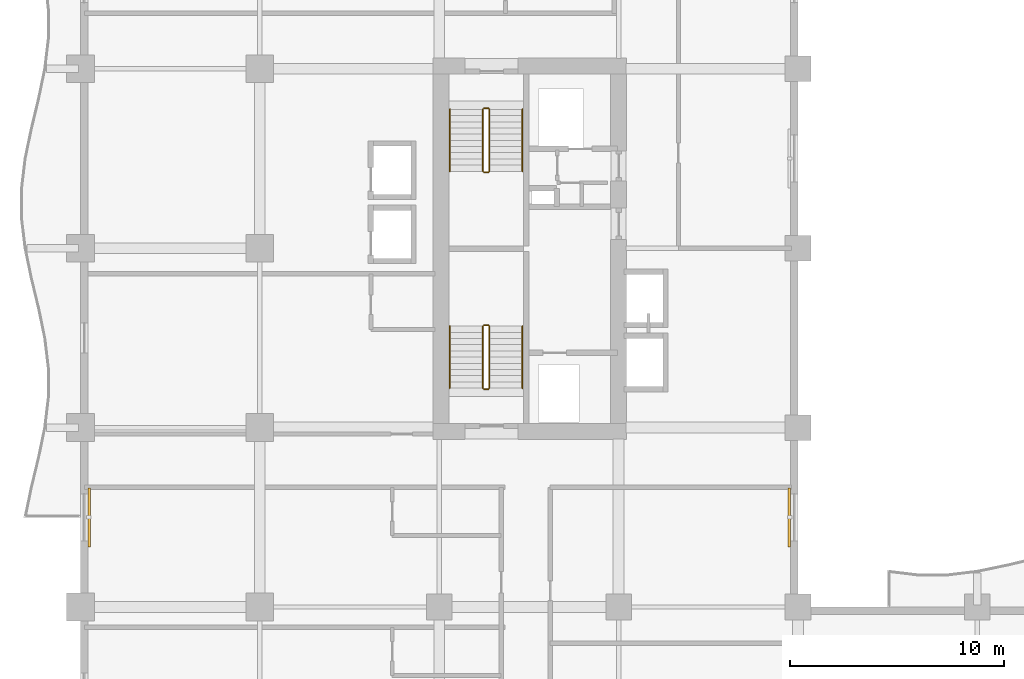
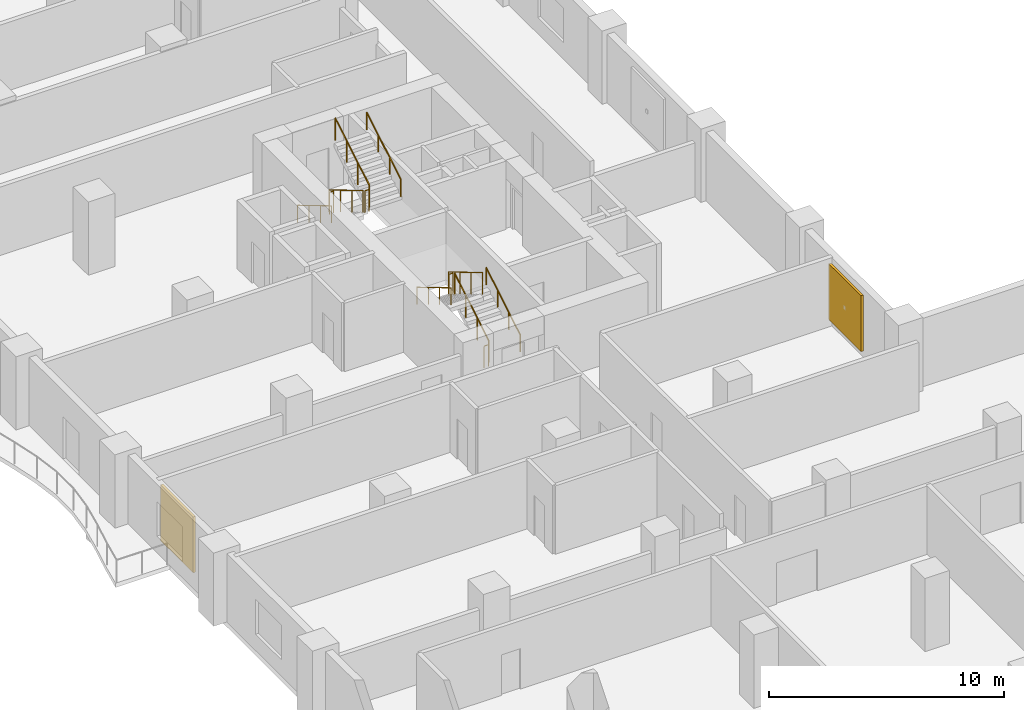
# One storey, part 17 of 18: 12 railings, 2 shading devices.
"""IFC4 building model written with IfcOpenShell, lengths in metres."""

from ifc_helpers import new_model, si_unit, direction, frame, origin, origin_2d, place, context, subcontext, project, spatial, rectangle, circle, extrude, material, layer, layer_set, type_object, element, save


model = new_model("IFC4")

# Units and contexts
model_context = context("Model", 3, precision=1e-05, world=origin(), true_north=direction((0.0, 1.0)))
body_context = subcontext(model_context, "Body", "Model", "MODEL_VIEW")
ifc_project = project(units=[si_unit("LENGTHUNIT", "METRE"), si_unit("AREAUNIT", "SQUARE_METRE"), si_unit("VOLUMEUNIT", "CUBIC_METRE"), si_unit("PLANEANGLEUNIT", "RADIAN"), si_unit("MASSUNIT", "GRAM", prefix="KILO")], contexts=[model_context])

# Site, building, storey
site_placement = place(None, origin())
site = spatial("IfcSite", under=ifc_project, at=site_placement, CompositionType="ELEMENT")
building_placement = place(site_placement, origin())
building = spatial("IfcBuilding", under=site, at=building_placement, Name="Koriwani Terraces Tower", CompositionType="ELEMENT")
storey_placement = place(building_placement, frame((0.0, 0.0, 145.60009765625)))
storey = spatial("IfcBuildingStorey", under=building, at=storey_placement, Name="L35", CompositionType="ELEMENT", Elevation=145.60009765625)

# Railings
ifc_material_1 = material(Name="Steel ASTM A572 Grade 50", Category="steel")
railing_type_1 = type_object("IfcRailingType", Name="GUARD_STAIR_WELL_1120", PredefinedType="GUARDRAIL", material=ifc_material_1)
railing_1_placement = place(storey_placement, frame((19.14990234375, 43.85009765625, 0.172607421875)))
element("IfcRailing", 1, at=railing_1_placement, inside=storey, type_object=railing_type_1, Name="L35 ST-W1 stair guard 1", PredefinedType="GUARDRAIL", context=body_context, shape_type="SweptSolid", body=[
    extrude(circle(Radius=0.02392578125, at=origin_2d()), frame((0.0, 0.0, 1.1259765625), z_axis=(0.0, 0.859141464434, 0.511738159696), x_axis=(-1.0, 0.0, 0.0)), (0.0, 0.0, 1.0), 3.375244140625),
    extrude(circle(Radius=0.02099609375, at=origin_2d()), origin(), (0.0, 0.0, 1.0), 1.101806640625),
    extrude(circle(Radius=0.02099609375, at=origin_2d()), frame((0.0, 0.966552734375, 0.57568359375)), (0.0, 0.0, 1.0), 1.101806640625),
    extrude(circle(Radius=0.02099609375, at=origin_2d()), frame((0.0, 1.933349609375, 1.151611328125)), (0.0, 0.0, 1.0), 1.101806640625),
    extrude(circle(Radius=0.02099609375, at=origin_2d()), frame((0.0, 2.89990234375, 1.727294921875)), (0.0, 0.0, 1.0), 1.101806640625),
])
railing_2_placement = place(storey_placement, frame((19.10009765625, 46.800048828125, 1.89990234375)))
element("IfcRailing", 2, at=railing_2_placement, inside=storey, type_object=railing_type_1, Name="L35 ST-W1 stair guard 2", PredefinedType="GUARDRAIL", context=body_context, shape_type="SweptSolid", body=[
    extrude(circle(Radius=0.02392578125, at=origin_2d()), frame((0.0, 0.0, 1.1259765625), z_axis=(-1.0, 0.0, 0.0), x_axis=(0.0, -1.0, 0.0)), (0.0, 0.0, 1.0), 0.2001953125),
    extrude(circle(Radius=0.02099609375, at=origin_2d()), origin(), (0.0, 0.0, 1.0), 1.101806640625),
    extrude(circle(Radius=0.02099609375, at=origin_2d()), frame((-0.2001953125, 0.0, 0.0)), (0.0, 0.0, 1.0), 1.101806640625),
])
railing_3_placement = place(storey_placement, frame((18.85009765625, 46.75, 2.072509765625)))
element("IfcRailing", 3, at=railing_3_placement, inside=storey, type_object=railing_type_1, Name="L35 ST-W1 stair guard 3", PredefinedType="GUARDRAIL", context=body_context, shape_type="SweptSolid", body=[
    extrude(circle(Radius=0.02392578125, at=origin_2d()), frame((0.0, 0.0, 1.1259765625), z_axis=(0.0, -0.859141464434, 0.511738159696), x_axis=(1.0, 0.0, 0.0)), (0.0, 0.0, 1.0), 3.375244140625),
    extrude(circle(Radius=0.02099609375, at=origin_2d()), origin(), (0.0, 0.0, 1.0), 1.101806640625),
    extrude(circle(Radius=0.02099609375, at=origin_2d()), frame((0.0, -0.966552734375, 0.57568359375)), (0.0, 0.0, 1.0), 1.101806640625),
    extrude(circle(Radius=0.02099609375, at=origin_2d()), frame((0.0, -1.933349609375, 1.151611328125)), (0.0, 0.0, 1.0), 1.101806640625),
    extrude(circle(Radius=0.02099609375, at=origin_2d()), frame((0.0, -2.89990234375, 1.727294921875)), (0.0, 0.0, 1.0), 1.101806640625),
])
railing_4_placement = place(storey_placement, frame((19.10009765625, 43.800048828125, 0.0)))
element("IfcRailing", 4, at=railing_4_placement, inside=storey, type_object=railing_type_1, Name="L35 ST-W1 stair guard 4", PredefinedType="GUARDRAIL", context=body_context, shape_type="SweptSolid", body=[
    extrude(circle(Radius=0.02392578125, at=origin_2d()), frame((0.0, 0.0, 1.1259765625), z_axis=(-1.0, 0.0, 0.0), x_axis=(0.0, -1.0, 0.0)), (0.0, 0.0, 1.0), 0.2001953125),
    extrude(circle(Radius=0.02099609375, at=origin_2d()), origin(), (0.0, 0.0, 1.0), 1.101806640625),
    extrude(circle(Radius=0.02099609375, at=origin_2d()), frame((-0.2001953125, 0.0, 0.0)), (0.0, 0.0, 1.0), 1.101806640625),
])
railing_5_placement = place(storey_placement, frame((18.85009765625, 56.89990234375, 0.172607421875)))
element("IfcRailing", 5, at=railing_5_placement, inside=storey, type_object=railing_type_1, Name="L35 ST-W2 stair guard 1", PredefinedType="GUARDRAIL", context=body_context, shape_type="SweptSolid", body=[
    extrude(circle(Radius=0.02392578125, at=origin_2d()), frame((0.0, 0.0, 1.1259765625), z_axis=(0.0, -0.859141464434, 0.511738159696), x_axis=(1.0, 0.0, 0.0)), (0.0, 0.0, 1.0), 3.375244140625),
    extrude(circle(Radius=0.02099609375, at=origin_2d()), origin(), (0.0, 0.0, 1.0), 1.101806640625),
    extrude(circle(Radius=0.02099609375, at=origin_2d()), frame((0.0, -0.966552734375, 0.57568359375)), (0.0, 0.0, 1.0), 1.101806640625),
    extrude(circle(Radius=0.02099609375, at=origin_2d()), frame((0.0, -1.933349609375, 1.151611328125)), (0.0, 0.0, 1.0), 1.101806640625),
    extrude(circle(Radius=0.02099609375, at=origin_2d()), frame((0.0, -2.89990234375, 1.727294921875)), (0.0, 0.0, 1.0), 1.101806640625),
])
railing_6_placement = place(storey_placement, frame((18.89990234375, 53.949951171875, 1.89990234375)))
element("IfcRailing", 6, at=railing_6_placement, inside=storey, type_object=railing_type_1, Name="L35 ST-W2 stair guard 2", PredefinedType="GUARDRAIL", context=body_context, shape_type="SweptSolid", body=[
    extrude(circle(Radius=0.02392578125, at=origin_2d()), frame((0.0, 0.0, 1.1259765625), z_axis=(1.0, 0.0, 0.0), x_axis=(0.0, 1.0, 0.0)), (0.0, 0.0, 1.0), 0.2001953125),
    extrude(circle(Radius=0.02099609375, at=origin_2d()), origin(), (0.0, 0.0, 1.0), 1.101806640625),
    extrude(circle(Radius=0.02099609375, at=origin_2d()), frame((0.2001953125, 0.0, 0.0)), (0.0, 0.0, 1.0), 1.101806640625),
])
railing_7_placement = place(storey_placement, frame((19.14990234375, 54.0, 2.072509765625)))
element("IfcRailing", 7, at=railing_7_placement, inside=storey, type_object=railing_type_1, Name="L35 ST-W2 stair guard 3", PredefinedType="GUARDRAIL", context=body_context, shape_type="SweptSolid", body=[
    extrude(circle(Radius=0.02392578125, at=origin_2d()), frame((0.0, 0.0, 1.1259765625), z_axis=(0.0, 0.859141464434, 0.511738159696), x_axis=(-1.0, 0.0, 0.0)), (0.0, 0.0, 1.0), 3.375244140625),
    extrude(circle(Radius=0.02099609375, at=origin_2d()), origin(), (0.0, 0.0, 1.0), 1.101806640625),
    extrude(circle(Radius=0.02099609375, at=origin_2d()), frame((0.0, 0.966552734375, 0.57568359375)), (0.0, 0.0, 1.0), 1.101806640625),
    extrude(circle(Radius=0.02099609375, at=origin_2d()), frame((0.0, 1.933349609375, 1.151611328125)), (0.0, 0.0, 1.0), 1.101806640625),
    extrude(circle(Radius=0.02099609375, at=origin_2d()), frame((0.0, 2.89990234375, 1.727294921875)), (0.0, 0.0, 1.0), 1.101806640625),
])
railing_8_placement = place(storey_placement, frame((18.89990234375, 56.949951171875, 0.0)))
element("IfcRailing", 8, at=railing_8_placement, inside=storey, type_object=railing_type_1, Name="L35 ST-W2 stair guard 4", PredefinedType="GUARDRAIL", context=body_context, shape_type="SweptSolid", body=[
    extrude(circle(Radius=0.02392578125, at=origin_2d()), frame((0.0, 0.0, 1.1259765625), z_axis=(1.0, 0.0, 0.0), x_axis=(0.0, 1.0, 0.0)), (0.0, 0.0, 1.0), 0.2001953125),
    extrude(circle(Radius=0.02099609375, at=origin_2d()), origin(), (0.0, 0.0, 1.0), 1.101806640625),
    extrude(circle(Radius=0.02099609375, at=origin_2d()), frame((0.2001953125, 0.0, 0.0)), (0.0, 0.0, 1.0), 1.101806640625),
])
railing_type_2 = type_object("IfcRailingType", Name="HANDRAIL_STAIR_920", PredefinedType="HANDRAIL", material=ifc_material_1)
railing_9_placement = place(storey_placement, frame((20.699951171875, 43.85009765625, 0.172607421875)))
element("IfcRailing", 9, at=railing_9_placement, inside=storey, type_object=railing_type_2, Name="L35 ST-W1 stair handrail 1", PredefinedType="HANDRAIL", context=body_context, shape_type="SweptSolid", body=[
    extrude(circle(Radius=0.02392578125, at=origin_2d()), frame((0.0, 0.0, 0.8759765625), z_axis=(0.0, 0.859141464434, 0.511738159696), x_axis=(-1.0, 0.0, 0.0)), (0.0, 0.0, 1.0), 3.375244140625),
    extrude(circle(Radius=0.02099609375, at=origin_2d()), origin(), (0.0, 0.0, 1.0), 0.851806640625),
    extrude(circle(Radius=0.02099609375, at=origin_2d()), frame((0.0, 0.966552734375, 0.57568359375)), (0.0, 0.0, 1.0), 0.851806640625),
    extrude(circle(Radius=0.02099609375, at=origin_2d()), frame((0.0, 1.933349609375, 1.151611328125)), (0.0, 0.0, 1.0), 0.851806640625),
    extrude(circle(Radius=0.02099609375, at=origin_2d()), frame((0.0, 2.89990234375, 1.727294921875)), (0.0, 0.0, 1.0), 0.851806640625),
])
for number, where, name in (
    (10, (17.300048828125, 46.75, 2.072509765625), "L35 ST-W1 stair handrail 2"),
    (11, (17.300048828125, 56.89990234375, 0.172607421875), "L35 ST-W2 stair handrail 1"),
):
    element("IfcRailing", number, at=place(storey_placement, frame(where)), inside=storey, type_object=railing_type_2, Name=name, PredefinedType="HANDRAIL", context=body_context, shape_type="SweptSolid", body=[
        extrude(circle(Radius=0.02392578125, at=origin_2d()), frame((0.0, 0.0, 0.8759765625), z_axis=(0.0, -0.859141464434, 0.511738159696), x_axis=(1.0, 0.0, 0.0)), (0.0, 0.0, 1.0), 3.375244140625),
        extrude(circle(Radius=0.02099609375, at=origin_2d()), origin(), (0.0, 0.0, 1.0), 0.851806640625),
        extrude(circle(Radius=0.02099609375, at=origin_2d()), frame((0.0, -0.966552734375, 0.57568359375)), (0.0, 0.0, 1.0), 0.851806640625),
        extrude(circle(Radius=0.02099609375, at=origin_2d()), frame((0.0, -1.933349609375, 1.151611328125)), (0.0, 0.0, 1.0), 0.851806640625),
        extrude(circle(Radius=0.02099609375, at=origin_2d()), frame((0.0, -2.89990234375, 1.727294921875)), (0.0, 0.0, 1.0), 0.851806640625),
    ])
railing_10_placement = place(storey_placement, frame((20.699951171875, 54.0, 2.072509765625)))
element("IfcRailing", 12, at=railing_10_placement, inside=storey, type_object=railing_type_2, Name="L35 ST-W2 stair handrail 2", PredefinedType="HANDRAIL", context=body_context, shape_type="SweptSolid", body=[
    extrude(circle(Radius=0.02392578125, at=origin_2d()), frame((0.0, 0.0, 0.8759765625), z_axis=(0.0, 0.859141464434, 0.511738159696), x_axis=(-1.0, 0.0, 0.0)), (0.0, 0.0, 1.0), 3.375244140625),
    extrude(circle(Radius=0.02099609375, at=origin_2d()), origin(), (0.0, 0.0, 1.0), 0.851806640625),
    extrude(circle(Radius=0.02099609375, at=origin_2d()), frame((0.0, 0.966552734375, 0.57568359375)), (0.0, 0.0, 1.0), 0.851806640625),
    extrude(circle(Radius=0.02099609375, at=origin_2d()), frame((0.0, 1.933349609375, 1.151611328125)), (0.0, 0.0, 1.0), 0.851806640625),
    extrude(circle(Radius=0.02099609375, at=origin_2d()), frame((0.0, 2.89990234375, 1.727294921875)), (0.0, 0.0, 1.0), 0.851806640625),
])

# Shading devices
ifc_material_2 = material(Name="Extruded Terracotta Clay", Category="masonry")
ifc_layer = layer(ifc_material_2, 0.1201171875, Name="Extruded Terracotta Clay")
ifc_layer_set = layer_set([ifc_layer], Name="Extruded Terracotta Clay")
shading_device_type = type_object("IfcShadingDeviceType", Name="TERRACOTTA_BAGUETTE_SCREEN_2800", PredefinedType="USERDEFINED", material=ifc_layer_set)
for number, where, z_axis, x_axis, name in (
    (13, (0.405029296875, 37.800048828125, 0.324951171875), (0.0, 0.0, 1.0), (0.0, 1.0, 0.0), "L35 Extruded Terracotta Baguette Screen (W-12)"),
    (14, (33.195068359375, 37.800048828125, 0.324951171875), (0.0, 0.0, 1.0), (0.0, -1.0, 0.0), "L35 Extruded Terracotta Baguette Screen (NW_IN-2)"),
):
    element("IfcShadingDevice", number, at=place(storey_placement, frame(where, z_axis=z_axis, x_axis=x_axis)), inside=storey, type_object=shading_device_type, Name=name, ObjectType="BAGUETTE", PredefinedType="USERDEFINED", context=body_context, shape_type="SweptSolid", body=[
        extrude(rectangle(XDim=2.760009765625, YDim=0.1201171875, at=origin_2d()), origin(), (0.0, 0.0, 1.0), 2.89990234375),
    ])

save(model, "model.ifc")
